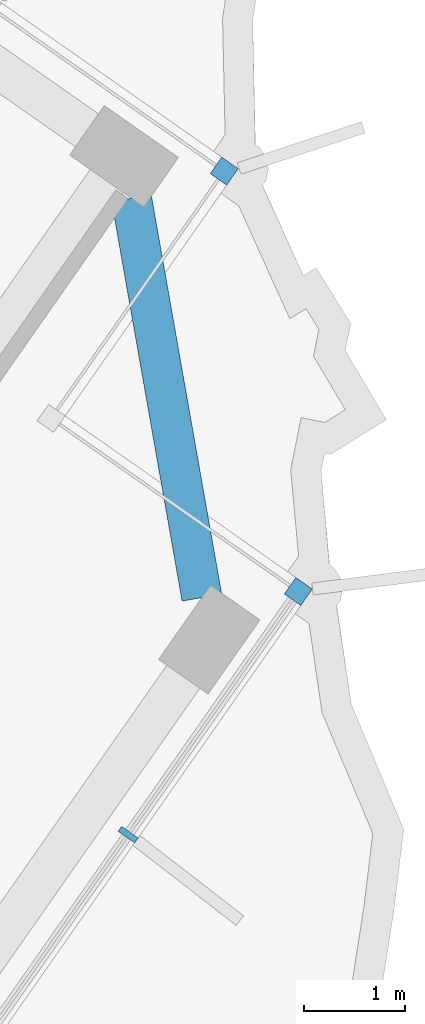
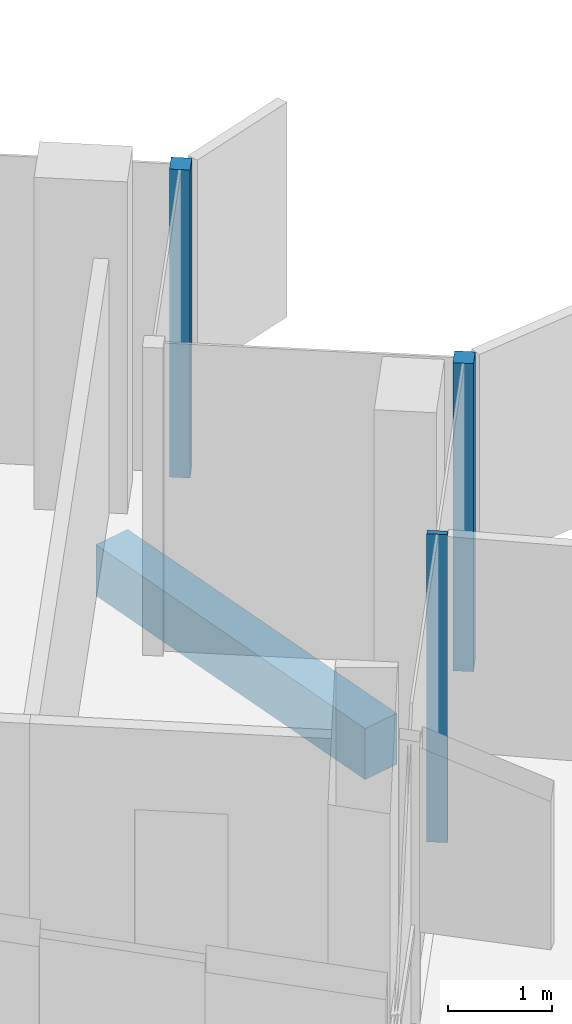
# One storey, part 8 of 20: 3 members, 1 beam, 1 element without a shape of its own.
"""IFC4 building model written with IfcOpenShell, lengths in metres."""

from ifc_helpers import new_model, si_unit, direction, frame, origin, origin_2d, place, context, subcontext, project, spatial, rectangle, extrude, material, material_profile, profile_set, type_object, element, aggregate, save


model = new_model("IFC4")

# Units and contexts
model_context = context("Model", 3, precision=1e-05, world=origin(), true_north=direction((0.0, 1.0)))
body_context = subcontext(model_context, "Body", "Model", "MODEL_VIEW")
ifc_project = project(units=[si_unit("LENGTHUNIT", "METRE"), si_unit("AREAUNIT", "SQUARE_METRE"), si_unit("VOLUMEUNIT", "CUBIC_METRE"), si_unit("PLANEANGLEUNIT", "RADIAN"), si_unit("MASSUNIT", "GRAM", prefix="KILO")], contexts=[model_context])

# Site, building, storey
site_placement = place(None, origin())
site = spatial("IfcSite", under=ifc_project, at=site_placement, CompositionType="ELEMENT")
building_placement = place(site_placement, origin())
building = spatial("IfcBuilding", under=site, at=building_placement, Name="Tel Ilan Convention Tower", CompositionType="ELEMENT")
storey_placement = place(building_placement, frame((0.0, 0.0, 237.10009765625)))
storey = spatial("IfcBuildingStorey", under=building, at=storey_placement, Name="L55", CompositionType="ELEMENT", Elevation=237.10009765625)

# Beam
ifc_material_1 = material(Name="Concrete C40/50", Category="concrete")
ifc_material_profile_1 = material_profile(ifc_material_1, rectangle(XDim=0.39990234375, YDim=0.60009765625, at=origin_2d()), Name="RC 400x600")
ifc_profile_set_1 = profile_set([ifc_material_profile_1], Name="Concrete C40/50")
beam_type = type_object("IfcBeamType", Name="Beam RC 400x600 Concrete C40/50", PredefinedType="BEAM", material=ifc_profile_set_1)
beam_placement = place(storey_placement, frame((31.742919921875, -17.343505859375, -0.580078125), z_axis=(-0.173664388751, 0.984804894423, 0.0), x_axis=(-0.984804894423, -0.173664388751, 0.0)))
element("IfcBeam", 1, at=beam_placement, inside=storey, type_object=beam_type, Name="L55 beam E-E-E3-E-BC", PredefinedType="BEAM", context=body_context, shape_type="SweptSolid", body=[
    extrude(rectangle(XDim=0.39990234375, YDim=0.60009765625, at=origin_2d()), origin(), (0.0, 0.0, 1.0), 4.030517578125),
])

# Curtain wall, members
ifc_material_2 = material(Name="Aluminium, bronze anodised", Category="aluminium")
curtain_wall_type = type_object("IfcCurtainWallType", Name="CW5 STICK CURTAIN WALL, UPPER OFFICE LOW-IRON TINTED GLASS", PredefinedType="NOTDEFINED", material=ifc_material_2)
curtain_wall_placement = place(storey_placement, origin())
curtain_wall = element("IfcCurtainWall", 2, at=curtain_wall_placement, inside=storey, type_object=curtain_wall_type, Name="Curtain wall CW5-42.02", PredefinedType="NOTDEFINED")
ifc_material_3 = material(Name="Aluminium, bronze anodised", Category="aluminium")
ifc_material_profile_2 = material_profile(ifc_material_3, rectangle(XDim=0.199951171875, YDim=0.199951171875, at=origin_2d()), Name="CW CORNER MULLION 200x200")
ifc_profile_set_2 = profile_set([ifc_material_profile_2], Name="Aluminium, bronze anodised")
member_type_1 = type_object("IfcMemberType", Name="CW CORNER MULLION 200x200", PredefinedType="MULLION", material=ifc_profile_set_2)
member_1_placement = place(storey_placement, frame((32.701416015625, -17.2822265625, 0.0), z_axis=(0.0, 0.0, 1.0), x_axis=(0.573576436351, 0.819152044289, 0.0)))
member_1 = element("IfcMember", 3, at=member_1_placement, type_object=member_type_1, Name="Corner mullion", PredefinedType="MULLION", context=body_context, shape_type="SweptSolid", body=[
    extrude(rectangle(XDim=0.199951171875, YDim=0.199951171875, at=origin_2d()), origin(), (0.0, 0.0, 1.0), 3.619873046875),
])
member_2_placement = place(storey_placement, frame((31.964599609375, -13.10400390625, 0.0), z_axis=(0.0, 0.0, 1.0), x_axis=(0.573576436351, 0.819152044289, 0.0)))
member_2 = element("IfcMember", 4, at=member_2_placement, type_object=member_type_1, Name="Corner mullion", PredefinedType="MULLION", context=body_context, shape_type="SweptSolid", body=[
    extrude(rectangle(XDim=0.199951171875, YDim=0.199951171875, at=origin_2d()), origin(), (0.0, 0.0, 1.0), 3.619873046875),
])
ifc_material_4 = material(Name="Aluminium, bronze anodised", Category="aluminium")
ifc_material_profile_3 = material_profile(ifc_material_4, rectangle(XDim=0.06005859375, YDim=0.199951171875, at=origin_2d()), Name="CW MULLION 60x200")
ifc_profile_set_3 = profile_set([ifc_material_profile_3], Name="Aluminium, bronze anodised")
member_type_2 = type_object("IfcMemberType", Name="CW MULLION 60x200", PredefinedType="MULLION", material=ifc_profile_set_3)
member_3_placement = place(storey_placement, frame((31.00927734375, -19.69873046875, 0.0), z_axis=(0.0, 0.0, 1.0), x_axis=(0.573576436351, 0.819152044289, 0.0)))
member_3 = element("IfcMember", 5, at=member_3_placement, type_object=member_type_2, Name="Mullion", PredefinedType="MULLION", context=body_context, shape_type="SweptSolid", body=[
    extrude(rectangle(XDim=0.06005859375, YDim=0.199951171875, at=origin_2d()), origin(), (0.0, 0.0, 1.0), 3.619873046875),
])
aggregate(curtain_wall, [member_3, member_1, member_2])

save(model, "model.ifc")
